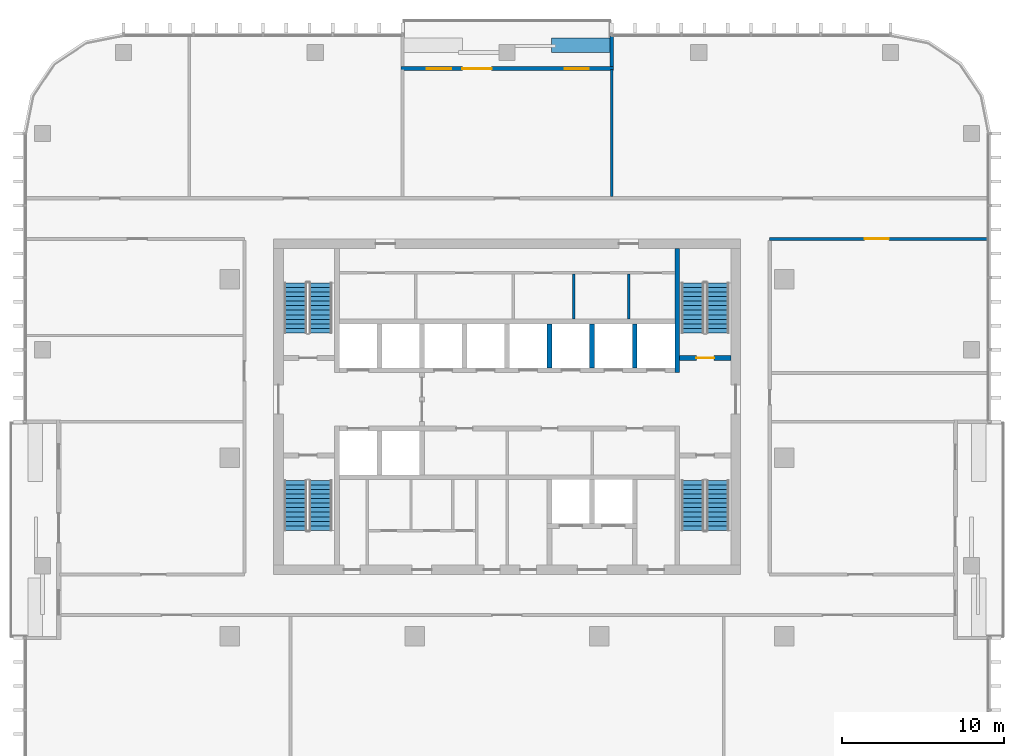
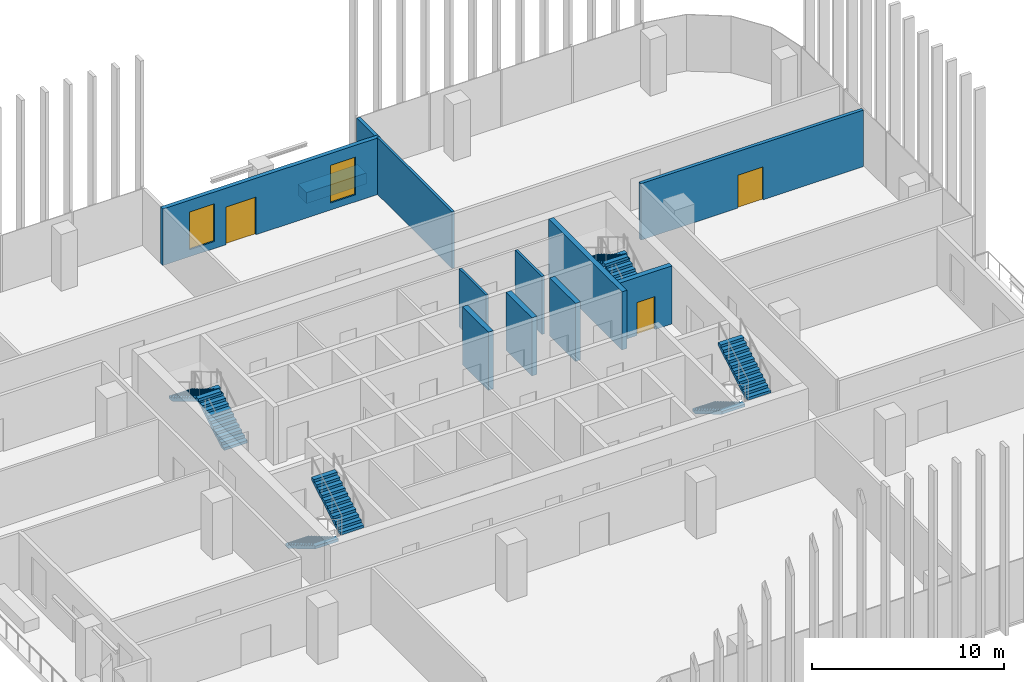
# One storey, part 10 of 16: 12 walls, 8 stair flights, 3 doors, 2 windows, 5 openings, 4 elements without a shape of their own.
"""IFC4 building model written with IfcOpenShell, lengths in metres."""

from ifc_helpers import new_model, si_unit, direction, frame, frame_2d, origin, place, context, subcontext, project, spatial, polyline, rectangle, outline, extrude, material, layer, layer_set, type_object, element, fill, aggregate, save


model = new_model("IFC4")

# Units and contexts
model_context = context("Model", 3, precision=1e-05, world=origin(), true_north=direction((0.0, 1.0)))
body_context = subcontext(model_context, "Body", "Model", "MODEL_VIEW")
ifc_project = project(units=[si_unit("LENGTHUNIT", "METRE"), si_unit("AREAUNIT", "SQUARE_METRE"), si_unit("VOLUMEUNIT", "CUBIC_METRE"), si_unit("PLANEANGLEUNIT", "RADIAN"), si_unit("MASSUNIT", "GRAM", prefix="KILO")], contexts=[model_context])

# Site, building, storey
site_placement = place(None, origin())
site = spatial("IfcSite", under=ifc_project, at=site_placement, CompositionType="ELEMENT")
building_placement = place(site_placement, origin())
building = spatial("IfcBuilding", under=site, at=building_placement, Name="Mopane Tessera Tower", CompositionType="ELEMENT")
storey_placement = place(building_placement, frame((0.0, 0.0, 267.39990234375)))
storey = spatial("IfcBuildingStorey", under=building, at=storey_placement, Name="L57", CompositionType="ELEMENT", Elevation=267.39990234375)

# Walls
ifc_material_1 = material(Name="Fire-rated gypsum board partition")
ifc_layer_1 = layer(ifc_material_1, 0.14990234375)
ifc_layer_set_1 = layer_set([ifc_layer_1], Name="Fire-rated gypsum board partition")
wall_type_1 = type_object("IfcWallType", Name="Core room partition 150 mm", PredefinedType="PARTITIONING", material=ifc_layer_set_1)
for number, where, z_axis, x_axis, name in (
    (1, (4.125, 8.550048828125, 0.0), (0.0, 0.0, 1.0), (0.0, 1.0, 0.0), "L57 Room partition"),
    (2, (7.5, 8.550048828125, 0.0), (0.0, 0.0, 1.0), (0.0, 1.0, 0.0), "L57 Room partition"),
):
    element("IfcWall", number, at=place(storey_placement, frame(where, z_axis=z_axis, x_axis=x_axis)), inside=storey, type_object=wall_type_1, Name=name, PredefinedType="PARTITIONING", context=body_context, shape_type="SweptSolid", body=[
        extrude(rectangle(XDim=2.77490234375, YDim=0.14990234375, at=frame_2d((1.387451171875, 0.0))), origin(), (0.0, 0.0, 1.0), 3.7001953125),
    ])
ifc_material_2 = material(Name="Concrete C60/75", Category="concrete")
ifc_layer_2 = layer(ifc_material_2, 0.300048828125)
ifc_layer_set_2 = layer_set([ifc_layer_2], Name="Concrete C60/75")
wall_type_2 = type_object("IfcWallType", Name="Core spine wall 300 mm", PredefinedType="SHEAR", material=ifc_layer_set_2)
wall_1_placement = place(storey_placement, frame((10.5, 5.25, 0.0), z_axis=(0.0, 0.0, 1.0), x_axis=(0.0, 1.0, 0.0)))
element("IfcWall", 3, at=wall_1_placement, inside=storey, type_object=wall_type_2, Name="L57 Core spine wall", PredefinedType="SHEAR", context=body_context, shape_type="SweptSolid", body=[
    extrude(rectangle(XDim=7.64990234375, YDim=0.300048828125, at=frame_2d((3.824951171875, 0.0))), origin(), (0.0, 0.0, 1.0), 3.7001953125),
])

# Wall, opening, door
ifc_material_3 = material(Name="Gypsum board on steel studs, two layers each face, mineral wool infill", Category="steel")
ifc_layer_3 = layer(ifc_material_3, 0.199951171875)
ifc_layer_set_3 = layer_set([ifc_layer_3], Name="Gypsum board on steel studs, two layers each face, mineral wool infill")
wall_type_3 = type_object("IfcWallType", Name="Gypsum board corridor wall 200, rated EI 60", PredefinedType="PARTITIONING", material=ifc_layer_set_3)
wall_2_placement = place(storey_placement, frame((16.199951171875, 13.5, 0.0), z_axis=(0.0, 0.0, 1.0), x_axis=(1.0, 0.0, 0.0)))
wall_2 = element("IfcWall", 4, at=wall_2_placement, inside=storey, type_object=wall_type_3, Name="Partition L57:008", PredefinedType="PARTITIONING", context=body_context, shape_type="SweptSolid", body=[
    extrude(rectangle(XDim=13.400146484375, YDim=0.199951171875, at=frame_2d((6.7001953125, 0.0))), origin(), (0.0, 0.0, 1.0), 3.60009765625),
])
opening_1_placement = place(wall_2_placement, frame((5.85009765625, 0.0, 0.0)))
opening_1 = element("IfcOpeningElement", 5, at=opening_1_placement, cuts=wall_2, Name="Opening L57-02", PredefinedType="OPENING", context=body_context, shape_type="SweptSolid", body=[
    extrude(rectangle(XDim=1.5, YDim=2.10009765625, at=frame_2d((0.75, 1.050048828125))), frame((0.0, 0.112060546875, 0.0), z_axis=(0.0, -1.0, 0.0), x_axis=(1.0, 0.0, 0.0)), (0.0, 0.0, 1.0), 0.223876953125),
])
ifc_material_4 = material(Name="Timber veneered steel-framed fire door", Category="steel")
door_type_1 = type_object("IfcDoorType", Name="Fire door pair FD60 1500 x 2100", OperationType="DOUBLE_DOOR_SINGLE_SWING", PredefinedType="DOOR", material=ifc_material_4)
door_1_placement = place(opening_1_placement, origin())
door_1 = element("IfcDoor", 6, at=door_1_placement, inside=storey, type_object=door_type_1, Name="Door L57-02", ObjectType="D17A", OperationType="DOUBLE_DOOR_SINGLE_SWING", OverallHeight=2.10009765625, OverallWidth=1.5, PredefinedType="DOOR", context=body_context, shape_type="SweptSolid", body=[
    extrude(rectangle(XDim=1.5, YDim=2.10009765625, at=frame_2d((0.75, 1.050048828125))), frame((0.0, 0.02490234375, 0.0), z_axis=(0.0, -1.0, 0.0), x_axis=(1.0, 0.0, 0.0)), (0.0, 0.0, 1.0), 0.050048828125),
])
fill(opening_1, door_1)

# Wall
ifc_material_5 = material(Name="Gypsum board on steel studs, mineral wool infill", Category="steel")
ifc_layer_4 = layer(ifc_material_5, 0.14990234375)
ifc_layer_set_4 = layer_set([ifc_layer_4], Name="Gypsum board on steel studs, mineral wool infill")
wall_type_4 = type_object("IfcWallType", Name="Gypsum board partition 150, rated EI 60", PredefinedType="PARTITIONING", material=ifc_layer_set_4)
wall_3_placement = place(storey_placement, frame((6.449951171875, 16.10009765625, 0.0), z_axis=(0.0, 0.0, 1.0), x_axis=(0.0, 1.0, 0.0)))
element("IfcWall", 7, at=wall_3_placement, inside=storey, type_object=wall_type_4, Name="Partition L57:014", PredefinedType="PARTITIONING", context=body_context, shape_type="SweptSolid", body=[
    extrude(rectangle(XDim=7.849853515625, YDim=0.14990234375, at=frame_2d((3.9248046875, 0.0))), origin(), (0.0, 0.0, 1.0), 3.60009765625),
])

# Wall, opening, door
ifc_material_6 = material(Name="Concrete C50/60", Category="concrete")
ifc_layer_5 = layer(ifc_material_6, 0.300048828125)
ifc_layer_set_5 = layer_set([ifc_layer_5], Name="Concrete C50/60")
wall_type_5 = type_object("IfcWallType", Name="Lift and stair shaft wall 300 mm", PredefinedType="SOLIDWALL", material=ifc_layer_set_5)
wall_4_placement = place(storey_placement, frame((10.64990234375, 6.14990234375, 0.0), z_axis=(0.0, 0.0, 1.0), x_axis=(1.0, 0.0, 0.0)))
wall_4 = element("IfcWall", 8, at=wall_4_placement, inside=storey, type_object=wall_type_5, Name="L57 Stair enclosure wall", PredefinedType="SOLIDWALL", context=body_context, shape_type="SweptSolid", body=[
    extrude(rectangle(XDim=3.150146484375, YDim=0.300048828125, at=frame_2d((1.5751953125, 0.0))), origin(), (0.0, 0.0, 1.0), 3.7001953125),
])
opening_2_placement = place(wall_4_placement, frame((1.02490234375, 0.0, 0.0)))
opening_2 = element("IfcOpeningElement", 9, at=opening_2_placement, cuts=wall_4, Name="Opening SD1", PredefinedType="OPENING", context=body_context, shape_type="SweptSolid", body=[
    extrude(rectangle(XDim=1.10009765625, YDim=2.10009765625, at=frame_2d((0.550048828125, 1.050048828125))), frame((0.0, 0.162109375, 0.0), z_axis=(0.0, -1.0, 0.0), x_axis=(1.0, 0.0, 0.0)), (0.0, 0.0, 1.0), 0.323974609375),
])
ifc_material_7 = material(Name="Steel fire door", Category="steel")
door_type_2 = type_object("IfcDoorType", Name="Stair fire door 1100 x 2100", OperationType="SINGLE_SWING_LEFT", PredefinedType="DOOR", material=ifc_material_7)
door_2_placement = place(opening_2_placement, origin())
door_2 = element("IfcDoor", 10, at=door_2_placement, inside=storey, type_object=door_type_2, Name="L57 Stair door ST4", OperationType="SINGLE_SWING_RIGHT", OverallHeight=2.10009765625, OverallWidth=1.10009765625, PredefinedType="DOOR", context=body_context, shape_type="SweptSolid", body=[
    extrude(rectangle(XDim=1.10009765625, YDim=2.10009765625, at=frame_2d((0.550048828125, 1.050048828125))), frame((0.0, 0.02490234375, 0.0), z_axis=(0.0, -1.0, 0.0), x_axis=(1.0, 0.0, 0.0)), (0.0, 0.0, 1.0), 0.050048828125),
])
fill(opening_2, door_2)

# Walls
for number, where, z_axis, x_axis, name in (
    (11, (2.625, 5.550048828125, 0.0), (0.0, 0.0, 1.0), (0.0, 1.0, 0.0), "L57 Lift shaft wall"),
    (12, (5.25, 5.550048828125, 0.0), (0.0, 0.0, 1.0), (0.0, 1.0, 0.0), "L57 Lift shaft wall"),
    (13, (7.875, 5.550048828125, 0.0), (0.0, 0.0, 1.0), (0.0, 1.0, 0.0), "L57 Lift shaft wall"),
):
    element("IfcWall", number, at=place(storey_placement, frame(where, z_axis=z_axis, x_axis=x_axis)), inside=storey, type_object=wall_type_5, Name=name, PredefinedType="SOLIDWALL", context=body_context, shape_type="SweptSolid", body=[
        extrude(rectangle(XDim=2.699951171875, YDim=0.300048828125, at=frame_2d((1.35009765625, 0.0))), origin(), (0.0, 0.0, 1.0), 3.7001953125),
    ])
ifc_material_8 = material(Name="Reinforced concrete C32/40 with waterproofing", Category="concrete")
ifc_layer_6 = layer(ifc_material_8, 0.89990234375)
ifc_layer_set_6 = layer_set([ifc_layer_6], Name="Reinforced concrete C32/40 with waterproofing")
wall_type_6 = type_object("IfcWallType", Name="Planter trough 3600 x 900", PredefinedType="STANDARD", material=ifc_layer_set_6)
wall_5_placement = place(storey_placement, frame((6.35009765625, 25.449951171875, 0.0), z_axis=(0.0, 0.0, 1.0), x_axis=(-1.0, 0.0, 0.0)))
element("IfcWall", 14, at=wall_5_placement, inside=storey, type_object=wall_type_6, Name="e:nw:L57:N2:pl0", PredefinedType="STANDARD", context=body_context, shape_type="SweptSolid", body=[
    extrude(rectangle(XDim=3.60009765625, YDim=0.89990234375, at=frame_2d((1.800048828125, 0.0))), origin(), (0.0, 0.0, 1.0), 0.7001953125),
])
ifc_material_9 = material(Name="Blockwork with glazed tile facing", Category="masonry")
ifc_layer_7 = layer(ifc_material_9, 0.199951171875)
ifc_layer_set_7 = layer_set([ifc_layer_7], Name="Blockwork with glazed tile facing")
wall_type_7 = type_object("IfcWallType", Name="Terrace cheek wall 200", PredefinedType="STANDARD", material=ifc_layer_set_7)
wall_6_placement = place(storey_placement, frame((6.449951171875, 26.0, 0.0), z_axis=(0.0, 0.0, 1.0), x_axis=(0.0, -1.0, 0.0)))
element("IfcWall", 15, at=wall_6_placement, inside=storey, type_object=wall_type_7, Name="e:nw:L57:N2:cheeka", PredefinedType="STANDARD", context=body_context, shape_type="SweptSolid", body=[
    extrude(rectangle(XDim=1.875, YDim=0.199951171875, at=frame_2d((0.9375, 0.0))), origin(), (0.0, 0.0, 1.0), 3.60009765625),
])

# Wall, openings, windows, door
ifc_material_10 = material(Name="Blockwork with turquoise glazed tile facing", Category="masonry")
ifc_layer_8 = layer(ifc_material_10, 0.25)
ifc_layer_set_8 = layer_set([ifc_layer_8], Name="Blockwork with turquoise glazed tile facing")
wall_type_8 = type_object("IfcWallType", Name="Tile-clad external wall 250, turquoise", PredefinedType="STANDARD", material=ifc_layer_set_8)
wall_7_placement = place(storey_placement, frame((6.550048828125, 24.0, 0.0), z_axis=(0.0, 0.0, 1.0), x_axis=(-1.0, 0.0, 0.0)))
wall_7 = element("IfcWall", 16, at=wall_7_placement, inside=storey, type_object=wall_type_8, Name="e:nw:L57:N2:back", PredefinedType="STANDARD", context=body_context, shape_type="SweptSolid", body=[
    extrude(rectangle(XDim=13.10009765625, YDim=0.25, at=frame_2d((6.550048828125, 0.0))), origin(), (0.0, 0.0, 1.0), 3.60009765625),
])
opening_3_placement = place(wall_7_placement, frame((1.5, 0.0, 0.449951171875)))
opening_3 = element("IfcOpeningElement", 17, at=opening_3_placement, cuts=wall_7, Name="Opening NW572A", PredefinedType="OPENING", context=body_context, shape_type="SweptSolid", body=[
    extrude(rectangle(XDim=1.5, YDim=2.39990234375, at=frame_2d((0.75, 1.199951171875))), frame((0.0, 0.136962890625, 0.0), z_axis=(0.0, -1.0, 0.0), x_axis=(1.0, 0.0, 0.0)), (0.0, 0.0, 1.0), 0.27392578125),
])
opening_4_placement = place(wall_7_placement, frame((7.5, 0.0, 0.0)))
opening_4 = element("IfcOpeningElement", 18, at=opening_4_placement, cuts=wall_7, Name="Opening ND572", PredefinedType="OPENING", context=body_context, shape_type="SweptSolid", body=[
    extrude(rectangle(XDim=1.800048828125, YDim=2.39990234375, at=frame_2d((0.89990234375, 1.199951171875))), frame((0.0, 0.136962890625, 0.0), z_axis=(0.0, -1.0, 0.0), x_axis=(1.0, 0.0, 0.0)), (0.0, 0.0, 1.0), 0.27392578125),
])
opening_5_placement = place(wall_7_placement, frame((10.0, 0.0, 0.449951171875)))
opening_5 = element("IfcOpeningElement", 19, at=opening_5_placement, cuts=wall_7, Name="Opening NW572B", PredefinedType="OPENING", context=body_context, shape_type="SweptSolid", body=[
    extrude(rectangle(XDim=1.5, YDim=2.39990234375, at=frame_2d((0.75, 1.199951171875))), frame((0.0, 0.136962890625, 0.0), z_axis=(0.0, -1.0, 0.0), x_axis=(1.0, 0.0, 0.0)), (0.0, 0.0, 1.0), 0.27392578125),
])
ifc_material_11 = material(Name="Clear laminated glass", Category="glass")
window_type = type_object("IfcWindowType", Name="Fixed window 1500 x 2400", PartitioningType="SINGLE_PANEL", PredefinedType="WINDOW", material=ifc_material_11)
window_1_placement = place(opening_3_placement, origin())
window_1 = element("IfcWindow", 20, at=window_1_placement, inside=storey, type_object=window_type, Name="e:nw:L57:N2:win0", OverallHeight=2.39990234375, OverallWidth=1.5, PartitioningType="SINGLE_PANEL", PredefinedType="WINDOW", context=body_context, shape_type="SweptSolid", body=[
    extrude(rectangle(XDim=1.5, YDim=2.39990234375, at=frame_2d((0.75, 1.199951171875))), frame((0.0, 0.030029296875, 0.0), z_axis=(0.0, -1.0, 0.0), x_axis=(1.0, 0.0, 0.0)), (0.0, 0.0, 1.0), 0.06005859375),
])
fill(opening_3, window_1)
window_2_placement = place(opening_5_placement, origin())
window_2 = element("IfcWindow", 21, at=window_2_placement, inside=storey, type_object=window_type, Name="e:nw:L57:N2:win2", OverallHeight=2.39990234375, OverallWidth=1.5, PartitioningType="SINGLE_PANEL", PredefinedType="WINDOW", context=body_context, shape_type="SweptSolid", body=[
    extrude(rectangle(XDim=1.5, YDim=2.39990234375, at=frame_2d((0.75, 1.199951171875))), frame((0.0, 0.030029296875, 0.0), z_axis=(0.0, -1.0, 0.0), x_axis=(1.0, 0.0, 0.0)), (0.0, 0.0, 1.0), 0.06005859375),
])
fill(opening_5, window_2)
ifc_material_12 = material(Name="Aluminium and clear glass", Category="aluminium")
door_type_3 = type_object("IfcDoorType", Name="Terrace double door 1800 x 2400", OperationType="DOUBLE_DOOR_SINGLE_SWING", PredefinedType="DOOR", material=ifc_material_12)
door_3_placement = place(opening_4_placement, origin())
door_3 = element("IfcDoor", 22, at=door_3_placement, inside=storey, type_object=door_type_3, Name="e:nw:L57:N2:door", ObjectType="D1", OperationType="DOUBLE_DOOR_SINGLE_SWING", OverallHeight=2.39990234375, OverallWidth=1.800048828125, PredefinedType="DOOR", context=body_context, shape_type="SweptSolid", body=[
    extrude(rectangle(XDim=1.800048828125, YDim=2.39990234375, at=frame_2d((0.89990234375, 1.199951171875))), frame((0.0, 0.02490234375, 0.0), z_axis=(0.0, -1.0, 0.0), x_axis=(1.0, 0.0, 0.0)), (0.0, 0.0, 1.0), 0.050048828125),
])
fill(opening_4, door_3)

# Stair, stair flights
ifc_material_13 = material(Name="Concrete C50/60", Category="concrete")
stair_type = type_object("IfcStairType", Name="Escape stair 1400 mm, riser 167 mm", PredefinedType="HALF_TURN_STAIR", material=ifc_material_13)
stair_1_placement = place(storey_placement, origin())
stair_1 = element("IfcStair", 23, at=stair_1_placement, inside=storey, type_object=stair_type, Name="L57 Escape stair south-west", PredefinedType="HALF_TURN_STAIR")
ifc_material_14 = material(Name="Concrete C50/60", Category="concrete")
stair_flight_type = type_object("IfcStairFlightType", Name="Escape stair flight 1400 mm", PredefinedType="STRAIGHT", material=ifc_material_14)
stair_flight_1_placement = place(storey_placement, frame((-13.050048828125, -1.39990234375, 0.0), z_axis=(0.0, 0.0, 1.0), x_axis=(0.0, -1.0, 0.0)))
stair_flight_1 = element("IfcStairFlight", 24, at=stair_flight_1_placement, type_object=stair_flight_type, Name="ST1 flight 1", NumberOfRisers=12, NumberOfTreads=11, PredefinedType="STRAIGHT", RiserHeight=0.166666667, TreadLength=0.28, context=body_context, shape_type="SweptSolid", body=[
    extrude(outline(polyline([(0.0, 0.0), (0.0, 0.166748046875), (0.280029296875, 0.166748046875), (0.280029296875, 0.333251953125), (0.56005859375, 0.333251953125), (0.56005859375, 0.5), (0.840087890625, 0.5), (0.840087890625, 0.666748046875), (1.1201171875, 0.666748046875), (1.1201171875, 0.833251953125), (1.39990234375, 0.833251953125), (1.39990234375, 1.0), (1.679931640625, 1.0), (1.679931640625, 1.166748046875), (1.9599609375, 1.166748046875), (1.9599609375, 1.333251953125), (2.239990234375, 1.333251953125), (2.239990234375, 1.5), (2.52001953125, 1.5), (2.52001953125, 1.666748046875), (2.800048828125, 1.666748046875), (2.800048828125, 1.833251953125), (3.080078125, 1.833251953125), (3.080078125, 2.0), (3.080078125, 1.658935546875), (0.29296875, 0.0), (0.0, 0.0)])), frame((0.0, 0.699951171875, 0.0), z_axis=(0.0, -1.0, 0.0), x_axis=(1.0, 0.0, 0.0)), (0.0, 0.0, 1.0), 1.39990234375),
])
stair_flight_2_placement = place(storey_placement, frame((-11.5, -4.47998046875, 2.0), z_axis=(0.0, 0.0, 1.0), x_axis=(0.0, 1.0, 0.0)))
stair_flight_2 = element("IfcStairFlight", 25, at=stair_flight_2_placement, type_object=stair_flight_type, Name="ST1 flight 2", NumberOfRisers=12, NumberOfTreads=11, PredefinedType="STRAIGHT", RiserHeight=0.166666667, TreadLength=0.28, context=body_context, shape_type="SweptSolid", body=[
    extrude(outline(polyline([(0.0, 0.0), (0.0, 0.166748046875), (0.280029296875, 0.166748046875), (0.280029296875, 0.333251953125), (0.56005859375, 0.333251953125), (0.56005859375, 0.5), (0.840087890625, 0.5), (0.840087890625, 0.666748046875), (1.1201171875, 0.666748046875), (1.1201171875, 0.833251953125), (1.39990234375, 0.833251953125), (1.39990234375, 1.0), (1.679931640625, 1.0), (1.679931640625, 1.166748046875), (1.9599609375, 1.166748046875), (1.9599609375, 1.333251953125), (2.239990234375, 1.333251953125), (2.239990234375, 1.5), (2.52001953125, 1.5), (2.52001953125, 1.666748046875), (2.800048828125, 1.666748046875), (2.800048828125, 1.833251953125), (3.080078125, 1.833251953125), (3.080078125, 2.0), (3.080078125, 1.658935546875), (0.29296875, 0.0), (0.0, 0.0)])), frame((0.0, 0.699951171875, 0.0), z_axis=(0.0, -1.0, 0.0), x_axis=(1.0, 0.0, 0.0)), (0.0, 0.0, 1.0), 1.39990234375),
])
aggregate(stair_1, [stair_flight_1, stair_flight_2])

stair_2_placement = place(storey_placement, origin())
stair_2 = element("IfcStair", 26, at=stair_2_placement, inside=storey, type_object=stair_type, Name="L57 Escape stair north-west", PredefinedType="HALF_TURN_STAIR")
stair_flight_3_placement = place(storey_placement, frame((-11.5, 7.699951171875, 0.0), z_axis=(0.0, 0.0, 1.0), x_axis=(0.0, 1.0, 0.0)))
stair_flight_3 = element("IfcStairFlight", 27, at=stair_flight_3_placement, type_object=stair_flight_type, Name="ST2 flight 1", NumberOfRisers=12, NumberOfTreads=11, PredefinedType="STRAIGHT", RiserHeight=0.166666667, TreadLength=0.28, context=body_context, shape_type="SweptSolid", body=[
    extrude(outline(polyline([(0.0, 0.0), (0.0, 0.166748046875), (0.280029296875, 0.166748046875), (0.280029296875, 0.333251953125), (0.56005859375, 0.333251953125), (0.56005859375, 0.5), (0.840087890625, 0.5), (0.840087890625, 0.666748046875), (1.1201171875, 0.666748046875), (1.1201171875, 0.833251953125), (1.39990234375, 0.833251953125), (1.39990234375, 1.0), (1.679931640625, 1.0), (1.679931640625, 1.166748046875), (1.9599609375, 1.166748046875), (1.9599609375, 1.333251953125), (2.239990234375, 1.333251953125), (2.239990234375, 1.5), (2.52001953125, 1.5), (2.52001953125, 1.666748046875), (2.800048828125, 1.666748046875), (2.800048828125, 1.833251953125), (3.080078125, 1.833251953125), (3.080078125, 2.0), (3.080078125, 1.658935546875), (0.29296875, 0.0), (0.0, 0.0)])), frame((0.0, 0.699951171875, 0.0), z_axis=(0.0, -1.0, 0.0), x_axis=(1.0, 0.0, 0.0)), (0.0, 0.0, 1.0), 1.39990234375),
])
stair_flight_4_placement = place(storey_placement, frame((-13.050048828125, 10.780029296875, 2.0), z_axis=(0.0, 0.0, 1.0), x_axis=(0.0, -1.0, 0.0)))
stair_flight_4 = element("IfcStairFlight", 28, at=stair_flight_4_placement, type_object=stair_flight_type, Name="ST2 flight 2", NumberOfRisers=12, NumberOfTreads=11, PredefinedType="STRAIGHT", RiserHeight=0.166666667, TreadLength=0.28, context=body_context, shape_type="SweptSolid", body=[
    extrude(outline(polyline([(0.0, 0.0), (0.0, 0.166748046875), (0.280029296875, 0.166748046875), (0.280029296875, 0.333251953125), (0.56005859375, 0.333251953125), (0.56005859375, 0.5), (0.840087890625, 0.5), (0.840087890625, 0.666748046875), (1.1201171875, 0.666748046875), (1.1201171875, 0.833251953125), (1.39990234375, 0.833251953125), (1.39990234375, 1.0), (1.679931640625, 1.0), (1.679931640625, 1.166748046875), (1.9599609375, 1.166748046875), (1.9599609375, 1.333251953125), (2.239990234375, 1.333251953125), (2.239990234375, 1.5), (2.52001953125, 1.5), (2.52001953125, 1.666748046875), (2.800048828125, 1.666748046875), (2.800048828125, 1.833251953125), (3.080078125, 1.833251953125), (3.080078125, 2.0), (3.080078125, 1.658935546875), (0.29296875, 0.0), (0.0, 0.0)])), frame((0.0, 0.699951171875, 0.0), z_axis=(0.0, -1.0, 0.0), x_axis=(1.0, 0.0, 0.0)), (0.0, 0.0, 1.0), 1.39990234375),
])
aggregate(stair_2, [stair_flight_3, stair_flight_4])

stair_3_placement = place(storey_placement, origin())
stair_3 = element("IfcStair", 29, at=stair_3_placement, inside=storey, type_object=stair_type, Name="L57 Escape stair south-east", PredefinedType="HALF_TURN_STAIR")
stair_flight_5_placement = place(storey_placement, frame((11.449951171875, -1.39990234375, 0.0), z_axis=(0.0, 0.0, 1.0), x_axis=(0.0, -1.0, 0.0)))
stair_flight_5 = element("IfcStairFlight", 30, at=stair_flight_5_placement, type_object=stair_flight_type, Name="ST3 flight 1", NumberOfRisers=12, NumberOfTreads=11, PredefinedType="STRAIGHT", RiserHeight=0.166666667, TreadLength=0.28, context=body_context, shape_type="SweptSolid", body=[
    extrude(outline(polyline([(0.0, 0.0), (0.0, 0.166748046875), (0.280029296875, 0.166748046875), (0.280029296875, 0.333251953125), (0.56005859375, 0.333251953125), (0.56005859375, 0.5), (0.840087890625, 0.5), (0.840087890625, 0.666748046875), (1.1201171875, 0.666748046875), (1.1201171875, 0.833251953125), (1.39990234375, 0.833251953125), (1.39990234375, 1.0), (1.679931640625, 1.0), (1.679931640625, 1.166748046875), (1.9599609375, 1.166748046875), (1.9599609375, 1.333251953125), (2.239990234375, 1.333251953125), (2.239990234375, 1.5), (2.52001953125, 1.5), (2.52001953125, 1.666748046875), (2.800048828125, 1.666748046875), (2.800048828125, 1.833251953125), (3.080078125, 1.833251953125), (3.080078125, 2.0), (3.080078125, 1.658935546875), (0.29296875, 0.0), (0.0, 0.0)])), frame((0.0, 0.699951171875, 0.0), z_axis=(0.0, -1.0, 0.0), x_axis=(1.0, 0.0, 0.0)), (0.0, 0.0, 1.0), 1.39990234375),
])
stair_flight_6_placement = place(storey_placement, frame((13.0, -4.47998046875, 2.0), z_axis=(0.0, 0.0, 1.0), x_axis=(0.0, 1.0, 0.0)))
stair_flight_6 = element("IfcStairFlight", 31, at=stair_flight_6_placement, type_object=stair_flight_type, Name="ST3 flight 2", NumberOfRisers=12, NumberOfTreads=11, PredefinedType="STRAIGHT", RiserHeight=0.166666667, TreadLength=0.28, context=body_context, shape_type="SweptSolid", body=[
    extrude(outline(polyline([(0.0, 0.0), (0.0, 0.166748046875), (0.280029296875, 0.166748046875), (0.280029296875, 0.333251953125), (0.56005859375, 0.333251953125), (0.56005859375, 0.5), (0.840087890625, 0.5), (0.840087890625, 0.666748046875), (1.1201171875, 0.666748046875), (1.1201171875, 0.833251953125), (1.39990234375, 0.833251953125), (1.39990234375, 1.0), (1.679931640625, 1.0), (1.679931640625, 1.166748046875), (1.9599609375, 1.166748046875), (1.9599609375, 1.333251953125), (2.239990234375, 1.333251953125), (2.239990234375, 1.5), (2.52001953125, 1.5), (2.52001953125, 1.666748046875), (2.800048828125, 1.666748046875), (2.800048828125, 1.833251953125), (3.080078125, 1.833251953125), (3.080078125, 2.0), (3.080078125, 1.658935546875), (0.29296875, 0.0), (0.0, 0.0)])), frame((0.0, 0.699951171875, 0.0), z_axis=(0.0, -1.0, 0.0), x_axis=(1.0, 0.0, 0.0)), (0.0, 0.0, 1.0), 1.39990234375),
])
aggregate(stair_3, [stair_flight_5, stair_flight_6])

stair_4_placement = place(storey_placement, origin())
stair_4 = element("IfcStair", 32, at=stair_4_placement, inside=storey, type_object=stair_type, Name="L57 Escape stair north-east", PredefinedType="HALF_TURN_STAIR")
stair_flight_7_placement = place(storey_placement, frame((13.0, 7.699951171875, 0.0), z_axis=(0.0, 0.0, 1.0), x_axis=(0.0, 1.0, 0.0)))
stair_flight_7 = element("IfcStairFlight", 33, at=stair_flight_7_placement, type_object=stair_flight_type, Name="ST4 flight 1", NumberOfRisers=12, NumberOfTreads=11, PredefinedType="STRAIGHT", RiserHeight=0.166666667, TreadLength=0.28, context=body_context, shape_type="SweptSolid", body=[
    extrude(outline(polyline([(0.0, 0.0), (0.0, 0.166748046875), (0.280029296875, 0.166748046875), (0.280029296875, 0.333251953125), (0.56005859375, 0.333251953125), (0.56005859375, 0.5), (0.840087890625, 0.5), (0.840087890625, 0.666748046875), (1.1201171875, 0.666748046875), (1.1201171875, 0.833251953125), (1.39990234375, 0.833251953125), (1.39990234375, 1.0), (1.679931640625, 1.0), (1.679931640625, 1.166748046875), (1.9599609375, 1.166748046875), (1.9599609375, 1.333251953125), (2.239990234375, 1.333251953125), (2.239990234375, 1.5), (2.52001953125, 1.5), (2.52001953125, 1.666748046875), (2.800048828125, 1.666748046875), (2.800048828125, 1.833251953125), (3.080078125, 1.833251953125), (3.080078125, 2.0), (3.080078125, 1.658935546875), (0.29296875, 0.0), (0.0, 0.0)])), frame((0.0, 0.699951171875, 0.0), z_axis=(0.0, -1.0, 0.0), x_axis=(1.0, 0.0, 0.0)), (0.0, 0.0, 1.0), 1.39990234375),
])
stair_flight_8_placement = place(storey_placement, frame((11.449951171875, 10.780029296875, 2.0), z_axis=(0.0, 0.0, 1.0), x_axis=(0.0, -1.0, 0.0)))
stair_flight_8 = element("IfcStairFlight", 34, at=stair_flight_8_placement, type_object=stair_flight_type, Name="ST4 flight 2", NumberOfRisers=12, NumberOfTreads=11, PredefinedType="STRAIGHT", RiserHeight=0.166666667, TreadLength=0.28, context=body_context, shape_type="SweptSolid", body=[
    extrude(outline(polyline([(0.0, 0.0), (0.0, 0.166748046875), (0.280029296875, 0.166748046875), (0.280029296875, 0.333251953125), (0.56005859375, 0.333251953125), (0.56005859375, 0.5), (0.840087890625, 0.5), (0.840087890625, 0.666748046875), (1.1201171875, 0.666748046875), (1.1201171875, 0.833251953125), (1.39990234375, 0.833251953125), (1.39990234375, 1.0), (1.679931640625, 1.0), (1.679931640625, 1.166748046875), (1.9599609375, 1.166748046875), (1.9599609375, 1.333251953125), (2.239990234375, 1.333251953125), (2.239990234375, 1.5), (2.52001953125, 1.5), (2.52001953125, 1.666748046875), (2.800048828125, 1.666748046875), (2.800048828125, 1.833251953125), (3.080078125, 1.833251953125), (3.080078125, 2.0), (3.080078125, 1.658935546875), (0.29296875, 0.0), (0.0, 0.0)])), frame((0.0, 0.699951171875, 0.0), z_axis=(0.0, -1.0, 0.0), x_axis=(1.0, 0.0, 0.0)), (0.0, 0.0, 1.0), 1.39990234375),
])
aggregate(stair_4, [stair_flight_7, stair_flight_8])

save(model, "model.ifc")
